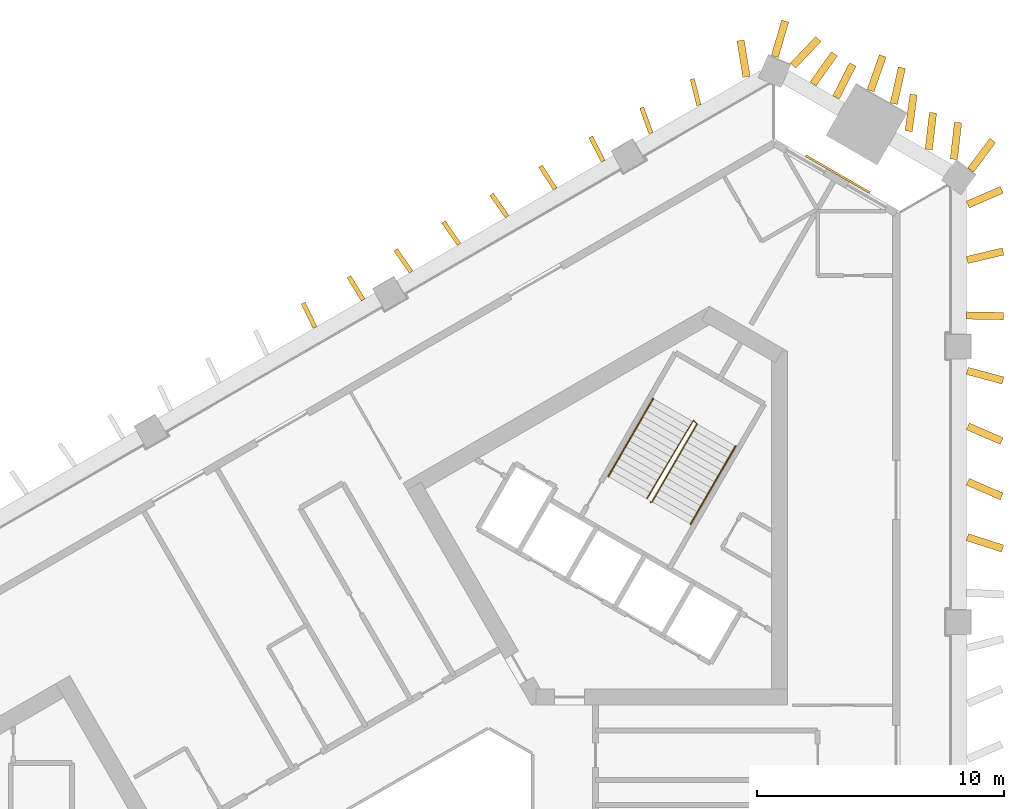
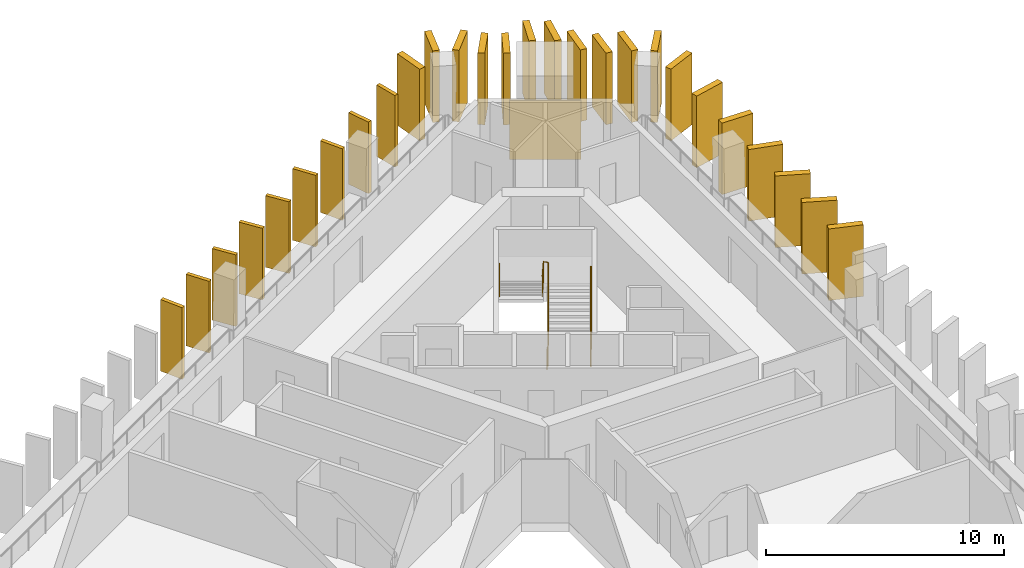
# One storey, part 10 of 10: 27 shading devices, 3 railings, 1 covering.
"""IFC4 building model written with IfcOpenShell, lengths in metres."""

from ifc_helpers import new_model, si_unit, direction, frame, frame_2d, origin, origin_2d, place, context, subcontext, project, spatial, rectangle, circle, extrude, material, layer, layer_set, type_object, element, save


model = new_model("IFC4")

# Units and contexts
model_context = context("Model", 3, precision=1e-05, world=origin(), true_north=direction((0.0, 1.0)))
body_context = subcontext(model_context, "Body", "Model", "MODEL_VIEW")
ifc_project = project(units=[si_unit("LENGTHUNIT", "METRE"), si_unit("AREAUNIT", "SQUARE_METRE"), si_unit("VOLUMEUNIT", "CUBIC_METRE"), si_unit("PLANEANGLEUNIT", "RADIAN"), si_unit("MASSUNIT", "GRAM", prefix="KILO")], contexts=[model_context])

# Site, building, storey
site_placement = place(None, origin())
site = spatial("IfcSite", under=ifc_project, at=site_placement, CompositionType="ELEMENT")
building_placement = place(site_placement, origin())
building = spatial("IfcBuilding", under=site, at=building_placement, Name="Jabali Bay Hotel Tower and Convention Centre", CompositionType="ELEMENT")
storey_placement = place(building_placement, frame((0.0, 0.0, 140.10009765625)))
storey = spatial("IfcBuildingStorey", under=building, at=storey_placement, Name="L34", CompositionType="ELEMENT", Elevation=140.10009765625)

# Shading devices
ifc_material_1 = material(Name="Precast concrete C60", Category="concrete")
ifc_layer_1 = layer(ifc_material_1, 0.179931640625)
ifc_layer_set_1 = layer_set([ifc_layer_1], Name="Precast concrete C60")
shading_device_type_1 = type_object("IfcShadingDeviceType", Name="Precast fin 3680 x 1100", PredefinedType="USERDEFINED", material=ifc_layer_set_1)
for number, where, z_axis, x_axis, name in (
    (1, (86.289794921875, 112.088134765625, 0.010009765625), (0.0, 0.0, 1.0), (-0.243684293393, 0.969854610317, 0.0), "Fin L34 035"),
    (2, (84.349853515625, 110.957763671875, 0.010009765625), (0.0, 0.0, 1.0), (-0.340620348983, 0.940200924196, 0.0), "Fin L34 036"),
    (3, (82.410888671875, 109.825439453125, 0.010009765625), (0.0, 0.0, 1.0), (-0.455361278133, 0.890306748474, 0.0), "Fin L34 037"),
    (4, (80.46630859375, 108.70263671875, 0.010009765625), (0.0, 0.0, 1.0), (-0.541777999202, 0.840521623506, 0.0), "Fin L34 038"),
):
    element("IfcShadingDevice", number, at=place(storey_placement, frame(where, z_axis=z_axis, x_axis=x_axis)), inside=storey, type_object=shading_device_type_1, Name=name, ObjectType="FIN", PredefinedType="USERDEFINED", context=body_context, shape_type="SweptSolid", body=[
        extrude(rectangle(XDim=1.10009765625, YDim=0.179931640625, at=frame_2d((0.550048828125, 0.0))), origin(), (0.0, 0.0, 1.0), 3.679931640625),
    ])
shading_device_1_placement = place(storey_placement, frame((78.520263671875, 107.5830078125, 0.010009765625), z_axis=(0.0, 0.0, 1.0), x_axis=(-0.573104767766, 0.819482107897, 0.0)))
element("IfcShadingDevice", 5, at=shading_device_1_placement, inside=storey, type_object=shading_device_type_1, Name="Fin L34 039", ObjectType="FIN", PredefinedType="USERDEFINED", context=body_context, shape_type="SweptSolid", body=[
    extrude(rectangle(XDim=1.099853515625, YDim=0.179931640625, at=frame_2d((0.5498046875, 0.0))), origin(), (0.0, 0.0, 1.0), 3.679931640625),
])
shading_device_2_placement = place(storey_placement, frame((76.575927734375, 106.4599609375, 0.010009765625), z_axis=(0.0, 0.0, 1.0), x_axis=(-0.570778360413, 0.821104173223, 0.0)))
element("IfcShadingDevice", 6, at=shading_device_2_placement, inside=storey, type_object=shading_device_type_1, Name="Fin L34 040", ObjectType="FIN", PredefinedType="USERDEFINED", context=body_context, shape_type="SweptSolid", body=[
    extrude(rectangle(XDim=1.10009765625, YDim=0.179931640625, at=frame_2d((0.550048828125, 0.0))), origin(), (0.0, 0.0, 1.0), 3.679931640625),
])
shading_device_3_placement = place(storey_placement, frame((74.63134765625, 105.33740234375, 0.010009765625), z_axis=(0.0, 0.0, 1.0), x_axis=(-0.569971472115, 0.821664481997, 0.0)))
element("IfcShadingDevice", 7, at=shading_device_3_placement, inside=storey, type_object=shading_device_type_1, Name="Fin L34 041", ObjectType="FIN", PredefinedType="USERDEFINED", context=body_context, shape_type="SweptSolid", body=[
    extrude(rectangle(XDim=1.099853515625, YDim=0.179931640625, at=frame_2d((0.5498046875, 0.0))), origin(), (0.0, 0.0, 1.0), 3.679931640625),
])
for number, where, z_axis, x_axis, name in (
    (8, (72.689453125, 104.210205078125, 0.010009765625), (0.0, 0.0, 1.0), (-0.523118817692, 0.852259762383, 0.0), "Fin L34 042"),
    (9, (70.742919921875, 103.091064453125, 0.010009765625), (0.0, 0.0, 1.0), (-0.437242574946, 0.899343611005, 0.0), "Fin L34 043"),
):
    element("IfcShadingDevice", number, at=place(storey_placement, frame(where, z_axis=z_axis, x_axis=x_axis)), inside=storey, type_object=shading_device_type_1, Name=name, ObjectType="FIN", PredefinedType="USERDEFINED", context=body_context, shape_type="SweptSolid", body=[
        extrude(rectangle(XDim=1.10009765625, YDim=0.179931640625, at=frame_2d((0.550048828125, 0.0))), origin(), (0.0, 0.0, 1.0), 3.679931640625),
    ])
ifc_layer_2 = layer(ifc_material_1, 0.300048828125)
ifc_layer_set_2 = layer_set([ifc_layer_2], Name="Precast concrete C60")
shading_device_type_2 = type_object("IfcShadingDeviceType", Name="Precast fin 3680 x 1500", PredefinedType="USERDEFINED", material=ifc_layer_set_2)
for number, where, z_axis, x_axis, name in (
    (10, (97.16552734375, 94.5947265625, 0.010009765625), (0.0, 0.0, 1.0), (0.951872631335, -0.306493872231, 0.0), "Fin L34 019"),
    (11, (97.17919921875, 96.840087890625, 0.010009765625), (0.0, 0.0, 1.0), (0.917682260148, -0.39731507574, 0.0), "Fin L34 020"),
    (12, (97.17919921875, 99.08544921875, 0.010009765625), (0.0, 0.0, 1.0), (0.917682260148, -0.39731507574, 0.0), "Fin L34 021"),
    (13, (97.158447265625, 101.330810546875, 0.010009765625), (0.0, 0.0, 1.0), (0.965844824343, -0.25912115948, 0.0), "Fin L34 022"),
    (14, (97.122314453125, 103.576171875, 0.010009765625), (0.0, 0.0, 1.0), (0.999836789311, -0.018066398114, 0.0), "Fin L34 023"),
    (15, (97.154052734375, 105.821533203125, 0.010009765625), (0.0, 0.0, 1.0), (0.973273967768, 0.229647085037, 0.0), "Fin L34 024"),
    (16, (97.17919921875, 108.066650390625, 0.010009765625), (0.0, 0.0, 1.0), (0.917682260148, 0.39731507574, 0.0), "Fin L34 025"),
):
    element("IfcShadingDevice", number, at=place(storey_placement, frame(where, z_axis=z_axis, x_axis=x_axis)), inside=storey, type_object=shading_device_type_2, Name=name, ObjectType="FIN", PredefinedType="USERDEFINED", context=body_context, shape_type="SweptSolid", body=[
        extrude(rectangle(XDim=1.5, YDim=0.300048828125, at=frame_2d((0.75, 0.0))), origin(), (0.0, 0.0, 1.0), 3.679931640625),
    ])
for number, where, z_axis, x_axis, name in (
    (17, (96.616455078125, 109.901611328125, 0.010009765625), (0.0, 0.0, 1.0), (0.114895894815, 0.993377538177, 0.0), "Fin L34 026"),
    (18, (95.601318359375, 110.297119140625, 0.010009765625), (0.0, 0.0, 1.0), (0.114735296621, 0.993396100108, 0.0), "Fin L34 027"),
    (19, (94.785888671875, 111.038818359375, 0.010009765625), (0.0, 0.0, 1.0), (0.134103640201, 0.990967312117, 0.0), "Fin L34 028"),
):
    element("IfcShadingDevice", number, at=place(storey_placement, frame(where, z_axis=z_axis, x_axis=x_axis)), inside=storey, type_object=shading_device_type_2, Name=name, ObjectType="FIN", PredefinedType="USERDEFINED", context=body_context, shape_type="SweptSolid", body=[
        extrude(rectangle(XDim=1.500244140625, YDim=0.300048828125, at=frame_2d((0.75, 0.0))), origin(), (0.0, 0.0, 1.0), 3.679931640625),
    ])
for number, where, z_axis, x_axis, name in (
    (20, (94.1845703125, 112.151611328125, 0.010009765625), (0.0, 0.0, 1.0), (0.218911849947, 0.975744639725, 0.0), "Fin L34 029"),
    (21, (93.243408203125, 112.675537109375, 0.010009765625), (0.0, 0.0, 1.0), (0.329429522511, 0.944180168028, 0.0), "Fin L34 030"),
    (22, (91.844482421875, 112.406494140625, 0.010009765625), (0.0, 0.0, 1.0), (0.454101321909, 0.890950048791, 0.0), "Fin L34 031"),
):
    element("IfcShadingDevice", number, at=place(storey_placement, frame(where, z_axis=z_axis, x_axis=x_axis)), inside=storey, type_object=shading_device_type_2, Name=name, ObjectType="FIN", PredefinedType="USERDEFINED", context=body_context, shape_type="SweptSolid", body=[
        extrude(rectangle(XDim=1.5, YDim=0.300048828125, at=frame_2d((0.75, 0.0))), origin(), (0.0, 0.0, 1.0), 3.679931640625),
    ])
shading_device_4_placement = place(storey_placement, frame((90.914794921875, 112.950439453125, 0.010009765625), z_axis=(0.0, 0.0, 1.0), x_axis=(0.578987931597, 0.815336111714, 0.0)))
element("IfcShadingDevice", 23, at=shading_device_4_placement, inside=storey, type_object=shading_device_type_2, Name="Fin L34 032", ObjectType="FIN", PredefinedType="USERDEFINED", context=body_context, shape_type="SweptSolid", body=[
    extrude(rectangle(XDim=1.499755859375, YDim=0.300048828125, at=frame_2d((0.75, 0.0))), origin(), (0.0, 0.0, 1.0), 3.679931640625),
])
shading_device_5_placement = place(storey_placement, frame((90.096923828125, 113.68798828125, 0.010009765625), z_axis=(0.0, 0.0, 1.0), x_axis=(0.690061455867, 0.723750776944, 0.0)))
element("IfcShadingDevice", 24, at=shading_device_5_placement, inside=storey, type_object=shading_device_type_2, Name="Fin L34 033", ObjectType="FIN", PredefinedType="USERDEFINED", context=body_context, shape_type="SweptSolid", body=[
    extrude(rectangle(XDim=1.5, YDim=0.300048828125, at=frame_2d((0.75, 0.0))), origin(), (0.0, 0.0, 1.0), 3.679931640625),
])
shading_device_6_placement = place(storey_placement, frame((88.22021484375, 113.2353515625, 0.010009765625), z_axis=(0.0, 0.0, 1.0), x_axis=(-0.162286931566, 0.986743609983, 0.0)))
element("IfcShadingDevice", 25, at=shading_device_6_placement, inside=storey, type_object=shading_device_type_2, Name="Fin L34 034", ObjectType="FIN", PredefinedType="USERDEFINED", context=body_context, shape_type="SweptSolid", body=[
    extrude(rectangle(XDim=1.499755859375, YDim=0.300048828125, at=frame_2d((0.75, 0.0))), origin(), (0.0, 0.0, 1.0), 3.679931640625),
])
shading_device_7_placement = place(storey_placement, frame((97.298583984375, 109.46142578125, 0.010009765625), z_axis=(0.0, 0.0, 1.0), x_axis=(0.596165174681, 0.802861809091, 0.0)))
element("IfcShadingDevice", 26, at=shading_device_7_placement, inside=storey, type_object=shading_device_type_2, Name="Fin L34 103", ObjectType="FIN", PredefinedType="USERDEFINED", context=body_context, shape_type="SweptSolid", body=[
    extrude(rectangle(XDim=1.5, YDim=0.300048828125, at=frame_2d((0.75, 0.0))), origin(), (0.0, 0.0, 1.0), 3.679931640625),
])
shading_device_8_placement = place(storey_placement, frame((89.365234375, 114.060791015625, 0.010009765625), z_axis=(0.0, 0.0, 1.0), x_axis=(0.282087009675, 0.959388825749, 0.0)))
element("IfcShadingDevice", 27, at=shading_device_8_placement, inside=storey, type_object=shading_device_type_2, Name="Fin L34 104", ObjectType="FIN", PredefinedType="USERDEFINED", context=body_context, shape_type="SweptSolid", body=[
    extrude(rectangle(XDim=1.499755859375, YDim=0.300048828125, at=frame_2d((0.75, 0.0))), origin(), (0.0, 0.0, 1.0), 3.679931640625),
])

# Covering
ifc_material_2 = material(Name="Precast concrete C40/50", Category="concrete")
ifc_layer_3 = layer(ifc_material_2, 0.080078125)
ifc_layer_set_3 = layer_set([ifc_layer_3], Name="Precast concrete C40/50")
covering_type = type_object("IfcCoveringType", Name="Relief panel 3000 x 3050", PredefinedType="CLADDING", material=ifc_layer_set_3)
covering_placement = place(storey_placement, frame((91.916259765625, 109.2998046875, 0.10009765625), z_axis=(0.0, 0.0, 1.0), x_axis=(0.866025368721, -0.500000060732, 0.0)))
element("IfcCovering", 28, at=covering_placement, inside=storey, type_object=covering_type, Name="Relief panel L34", PredefinedType="CLADDING", context=body_context, shape_type="SweptSolid", body=[
    extrude(rectangle(XDim=3.0, YDim=0.080078125, at=origin_2d()), origin(), (0.0, 0.0, 1.0), 3.050048828125),
])

# Railings
ifc_material_3 = material(Name="Steel Q355B", Category="steel")
railing_type_1 = type_object("IfcRailingType", Name="Stair guard 1100", PredefinedType="GUARDRAIL", material=ifc_material_3)
railing_1_placement = place(storey_placement, frame((84.329833984375, 96.010009765625, 0.0)))
element("IfcRailing", 29, at=railing_1_placement, inside=storey, type_object=railing_type_1, Name="L34 ST2 stair guard 1", PredefinedType="GUARDRAIL", context=body_context, shape_type="SweptSolid", body=[
    extrude(circle(Radius=0.02392578125, at=origin_2d()), frame((0.0, 0.0, 1.076171875), z_axis=(0.456201556387, 0.122196845461, 0.881446578591), x_axis=(-0.258736085224, 0.965948051503, 0.0)), (0.0, 0.0, 1.0), 0.14990234375),
    extrude(circle(Radius=0.02392578125, at=origin_2d()), frame((0.068359375, 0.018310546875, 1.2080078125), z_axis=(0.452190331055, 0.783190014029, 0.426775475427), x_axis=(-0.866018046521, 0.500012742938, 0.0)), (0.0, 0.0, 1.0), 4.02490234375),
    extrude(circle(Radius=0.02392578125, at=origin_2d()), frame((1.888427734375, 3.170654296875, 2.92578125), z_axis=(-0.718850276695, 0.695164929852, 0.0), x_axis=(-0.695164929852, -0.718850276695, 0.0)), (0.0, 0.0, 1.0), 0.2060546875),
    extrude(circle(Radius=0.02392578125, at=origin_2d()), frame((1.740234375, 3.31396484375, 2.92578125), z_axis=(-0.457445338502, -0.768046879266, 0.448160410493), x_axis=(0.859157857954, -0.511710636118, 0.0)), (0.0, 0.0, 1.0), 4.128173828125),
    extrude(circle(Radius=0.02099609375, at=origin_2d()), origin(), (0.0, 0.0, 1.0), 1.052001953125),
    extrude(circle(Radius=0.02099609375, at=origin_2d()), frame((0.068359375, 0.018310546875, 0.132080078125)), (0.0, 0.0, 1.0), 1.052001953125),
    extrude(circle(Radius=0.02099609375, at=origin_2d()), frame((0.5234375, 0.806396484375, 0.5615234375)), (0.0, 0.0, 1.0), 1.052001953125),
    extrude(circle(Radius=0.02099609375, at=origin_2d()), frame((0.978515625, 1.594482421875, 0.990966796875)), (0.0, 0.0, 1.0), 1.052001953125),
    extrude(circle(Radius=0.02099609375, at=origin_2d()), frame((1.433349609375, 2.382568359375, 1.42041015625)), (0.0, 0.0, 1.0), 1.052001953125),
    extrude(circle(Radius=0.02099609375, at=origin_2d()), frame((1.888427734375, 3.170654296875, 1.849853515625)), (0.0, 0.0, 1.0), 1.052001953125),
    extrude(circle(Radius=0.02099609375, at=origin_2d()), frame((1.740234375, 3.31396484375, 1.849853515625)), (0.0, 0.0, 1.0), 1.052001953125),
    extrude(circle(Radius=0.02099609375, at=origin_2d()), frame((1.26806640625, 2.521240234375, 2.3125)), (0.0, 0.0, 1.0), 1.052001953125),
    extrude(circle(Radius=0.02099609375, at=origin_2d()), frame((0.7958984375, 1.728515625, 2.77490234375)), (0.0, 0.0, 1.0), 1.052001953125),
    extrude(circle(Radius=0.02099609375, at=origin_2d()), frame((0.323974609375, 0.93603515625, 3.2373046875)), (0.0, 0.0, 1.0), 1.052001953125),
    extrude(circle(Radius=0.02099609375, at=origin_2d()), frame((-0.148193359375, 0.143310546875, 3.699951171875)), (0.0, 0.0, 1.0), 1.052001953125),
])
railing_type_2 = type_object("IfcRailingType", Name="Stair handrail 900", PredefinedType="HANDRAIL", material=ifc_material_3)
railing_2_placement = place(storey_placement, frame((85.95703125, 95.128173828125, 0.132080078125)))
element("IfcRailing", 30, at=railing_2_placement, inside=storey, type_object=railing_type_2, Name="L34 ST2 stair handrail 1", PredefinedType="HANDRAIL", context=body_context, shape_type="SweptSolid", body=[
    extrude(circle(Radius=0.02392578125, at=origin_2d()), frame((0.0, 0.0, 0.8759765625), z_axis=(0.452190331055, 0.783190014029, 0.426775475427), x_axis=(-0.866018046521, 0.500012742938, 0.0)), (0.0, 0.0, 1.0), 4.02490234375),
    extrude(circle(Radius=0.02099609375, at=origin_2d()), origin(), (0.0, 0.0, 1.0), 0.851806640625),
    extrude(circle(Radius=0.02099609375, at=origin_2d()), frame((0.455078125, 0.7880859375, 0.429443359375)), (0.0, 0.0, 1.0), 0.851806640625),
    extrude(circle(Radius=0.02099609375, at=origin_2d()), frame((0.91015625, 1.576171875, 0.85888671875)), (0.0, 0.0, 1.0), 0.851806640625),
    extrude(circle(Radius=0.02099609375, at=origin_2d()), frame((1.364990234375, 2.3642578125, 1.288330078125)), (0.0, 0.0, 1.0), 0.851806640625),
    extrude(circle(Radius=0.02099609375, at=origin_2d()), frame((1.820068359375, 3.15234375, 1.7177734375)), (0.0, 0.0, 1.0), 0.851806640625),
])
railing_3_placement = place(storey_placement, frame((84.44287109375, 100.20556640625, 1.98193359375)))
element("IfcRailing", 31, at=railing_3_placement, inside=storey, type_object=railing_type_2, Name="L34 ST2 stair handrail 2", PredefinedType="HANDRAIL", context=body_context, shape_type="SweptSolid", body=[
    extrude(circle(Radius=0.02392578125, at=origin_2d()), frame((0.0, 0.0, 0.8759765625), z_axis=(-0.45217862506, -0.783169739339, 0.426825081763), x_axis=(0.866018046521, -0.500012742938, 0.0)), (0.0, 0.0, 1.0), 4.025146484375),
    extrude(circle(Radius=0.02099609375, at=origin_2d()), origin(), (0.0, 0.0, 1.0), 0.851806640625),
    extrude(circle(Radius=0.02099609375, at=origin_2d()), frame((-0.455078125, -0.7880859375, 0.429443359375)), (0.0, 0.0, 1.0), 0.851806640625),
    extrude(circle(Radius=0.02099609375, at=origin_2d()), frame((-0.91015625, -1.576171875, 0.85888671875)), (0.0, 0.0, 1.0), 0.851806640625),
    extrude(circle(Radius=0.02099609375, at=origin_2d()), frame((-1.364990234375, -2.3642578125, 1.28857421875)), (0.0, 0.0, 1.0), 0.851806640625),
    extrude(circle(Radius=0.02099609375, at=origin_2d()), frame((-1.820068359375, -3.15234375, 1.718017578125)), (0.0, 0.0, 1.0), 0.851806640625),
])

save(model, "model.ifc")
